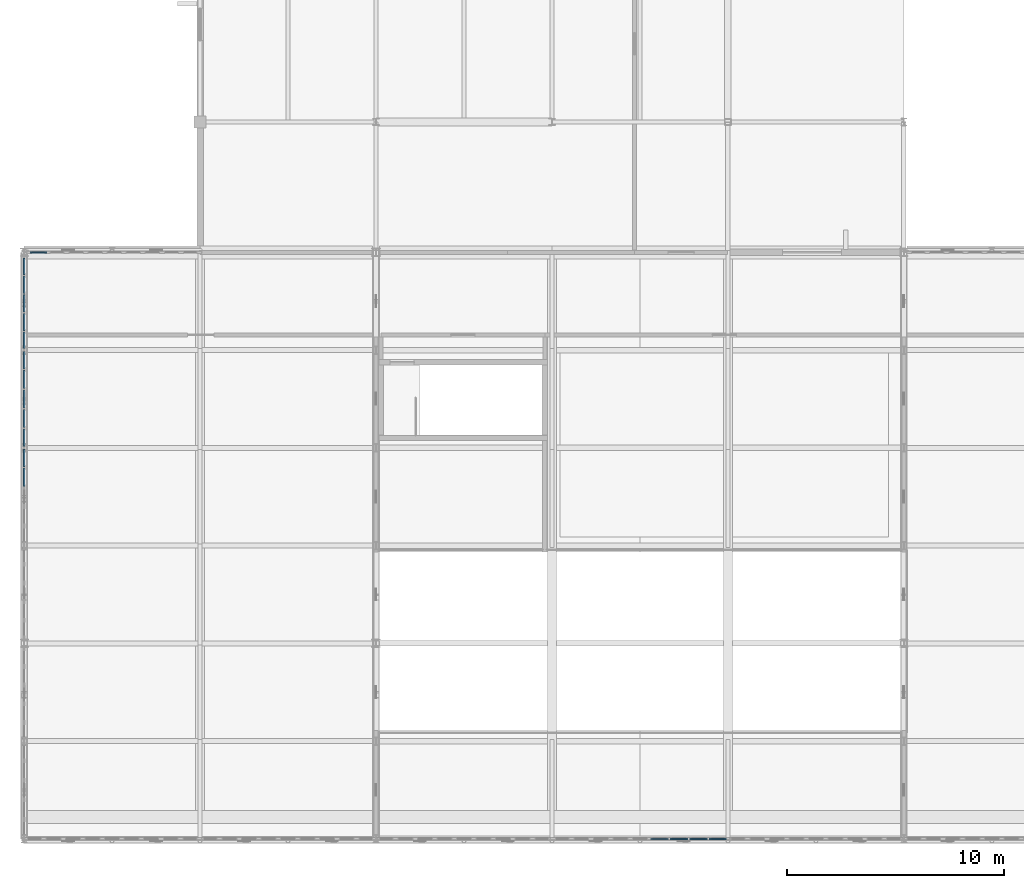
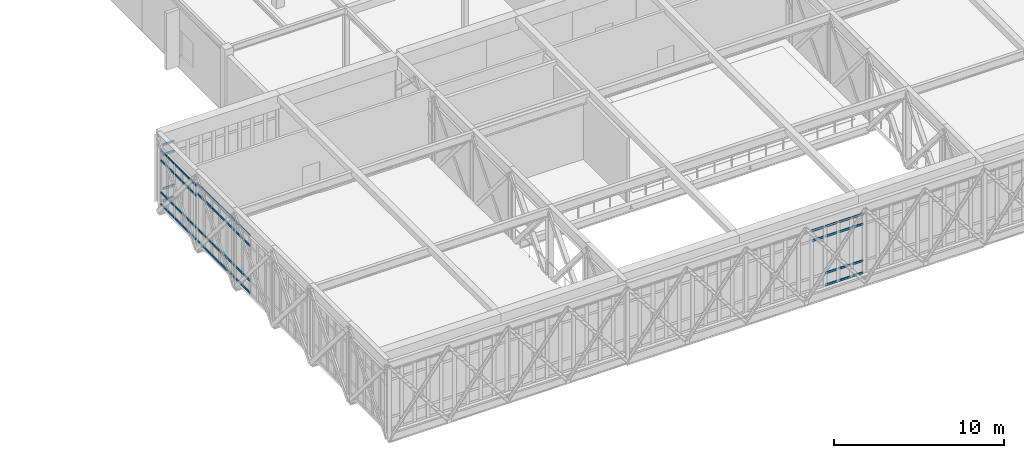
# One storey, part 30 of 70: 66 members, 5 elements without a shape of their own.
"""IFC4 building model written with IfcOpenShell, lengths in metres."""

from ifc_helpers import new_model, si_unit, direction, frame, origin, origin_2d, place, context, subcontext, project, spatial, rectangle, extrude, material, material_profile, profile_set, type_object, element, aggregate, save


model = new_model("IFC4")

# Units and contexts
model_context = context("Model", 3, precision=1e-05, world=origin(), true_north=direction((0.0, 1.0)))
body_context = subcontext(model_context, "Body", "Model", "MODEL_VIEW")
ifc_project = project(units=[si_unit("LENGTHUNIT", "METRE"), si_unit("AREAUNIT", "SQUARE_METRE"), si_unit("VOLUMEUNIT", "CUBIC_METRE"), si_unit("PLANEANGLEUNIT", "RADIAN"), si_unit("MASSUNIT", "GRAM", prefix="KILO")], contexts=[model_context])

# Site, building, storey
site_placement = place(None, origin())
site = spatial("IfcSite", under=ifc_project, at=site_placement, CompositionType="ELEMENT")
building_placement = place(site_placement, origin())
building = spatial("IfcBuilding", under=site, at=building_placement, Name="Tarnveldt Square Police Headquarters", CompositionType="ELEMENT")
storey_placement = place(building_placement, frame((0.0, 0.0, 19.800048828125)))
storey = spatial("IfcBuildingStorey", under=building, at=storey_placement, Name="L04", CompositionType="ELEMENT", Elevation=19.800048828125)

# Curtain wall, members
ifc_material_1 = material(Name="UL 752 Level III laminated ballistic vision glass", Category="glass")
curtain_wall_type_1 = type_object("IfcCurtainWallType", Name="CW-BL-810x429", PredefinedType="USERDEFINED", material=ifc_material_1)
curtain_wall_1_placement = place(storey_placement, origin())
curtain_wall_1 = element("IfcCurtainWall", 1, at=curtain_wall_1_placement, inside=storey, type_object=curtain_wall_type_1, Name="L04 Curtain Wall CW-L04-043", ObjectType="BALLISTIC CURTAIN WALL", PredefinedType="USERDEFINED")
ifc_material_2 = material(Name="Thermally broken anodised aluminium 6063-T6", Category="aluminium")
ifc_material_profile = material_profile(ifc_material_2, rectangle(XDim=0.074951171875, YDim=0.14990234375, at=origin_2d()), Name="CW-T75x150")
ifc_profile_set = profile_set([ifc_material_profile], Name="Thermally broken anodised aluminium 6063-T6")
member_type = type_object("IfcMemberType", Name="CWT-75x150", PredefinedType="USERDEFINED", material=ifc_profile_set)
member_1_placement = place(storey_placement, frame((36.9423828125, 7.0, 3.538330078125), z_axis=(1.0, 0.0, 0.0), x_axis=(0.0, 1.0, 0.0)))
member_1 = element("IfcMember", 2, at=member_1_placement, type_object=member_type, Name="CW-BL18 transom 6.3", ObjectType="TRANSOM", PredefinedType="USERDEFINED", context=body_context, shape_type="SweptSolid", body=[
    extrude(rectangle(XDim=0.074951171875, YDim=0.14990234375, at=origin_2d()), origin(), (0.0, 0.0, 1.0), 0.815185546875),
])
member_2_placement = place(storey_placement, frame((36.9423828125, 7.0, 4.2509765625), z_axis=(1.0, 0.0, 0.0), x_axis=(0.0, 1.0, 0.0)))
member_2 = element("IfcMember", 3, at=member_2_placement, type_object=member_type, Name="CW-BL18 transom 6.4", ObjectType="TRANSOM", PredefinedType="USERDEFINED", context=body_context, shape_type="SweptSolid", body=[
    extrude(rectangle(XDim=0.074951171875, YDim=0.14990234375, at=origin_2d()), origin(), (0.0, 0.0, 1.0), 0.815185546875),
])
member_3_placement = place(storey_placement, frame((37.842529296875, 7.0, 0.037353515625), z_axis=(1.0, 0.0, 0.0), x_axis=(0.0, 1.0, 0.0)))
member_3 = element("IfcMember", 4, at=member_3_placement, type_object=member_type, Name="CW-BL18 transom 7.1", ObjectType="TRANSOM", PredefinedType="USERDEFINED", context=body_context, shape_type="SweptSolid", body=[
    extrude(rectangle(XDim=0.074951171875, YDim=0.14990234375, at=origin_2d()), origin(), (0.0, 0.0, 1.0), 0.81494140625),
])
member_4_placement = place(storey_placement, frame((37.842529296875, 7.0, 0.89990234375), z_axis=(1.0, 0.0, 0.0), x_axis=(0.0, 1.0, 0.0)))
member_4 = element("IfcMember", 5, at=member_4_placement, type_object=member_type, Name="CW-BL18 transom 7.2", ObjectType="TRANSOM", PredefinedType="USERDEFINED", context=body_context, shape_type="SweptSolid", body=[
    extrude(rectangle(XDim=0.074951171875, YDim=0.14990234375, at=origin_2d()), origin(), (0.0, 0.0, 1.0), 0.81494140625),
])
member_5_placement = place(storey_placement, frame((37.842529296875, 7.0, 3.538330078125), z_axis=(1.0, 0.0, 0.0), x_axis=(0.0, 1.0, 0.0)))
member_5 = element("IfcMember", 6, at=member_5_placement, type_object=member_type, Name="CW-BL18 transom 7.3", ObjectType="TRANSOM", PredefinedType="USERDEFINED", context=body_context, shape_type="SweptSolid", body=[
    extrude(rectangle(XDim=0.074951171875, YDim=0.14990234375, at=origin_2d()), origin(), (0.0, 0.0, 1.0), 0.81494140625),
])
member_6_placement = place(storey_placement, frame((37.842529296875, 7.0, 4.2509765625), z_axis=(1.0, 0.0, 0.0), x_axis=(0.0, 1.0, 0.0)))
member_6 = element("IfcMember", 7, at=member_6_placement, type_object=member_type, Name="CW-BL18 transom 7.4", ObjectType="TRANSOM", PredefinedType="USERDEFINED", context=body_context, shape_type="SweptSolid", body=[
    extrude(rectangle(XDim=0.074951171875, YDim=0.14990234375, at=origin_2d()), origin(), (0.0, 0.0, 1.0), 0.81494140625),
])
member_7_placement = place(storey_placement, frame((38.742431640625, 7.0, 0.037353515625), z_axis=(1.0, 0.0, 0.0), x_axis=(0.0, 1.0, 0.0)))
member_7 = element("IfcMember", 8, at=member_7_placement, type_object=member_type, Name="CW-BL18 transom 8.1", ObjectType="TRANSOM", PredefinedType="USERDEFINED", context=body_context, shape_type="SweptSolid", body=[
    extrude(rectangle(XDim=0.074951171875, YDim=0.14990234375, at=origin_2d()), origin(), (0.0, 0.0, 1.0), 0.815185546875),
])
member_8_placement = place(storey_placement, frame((38.742431640625, 7.0, 0.89990234375), z_axis=(1.0, 0.0, 0.0), x_axis=(0.0, 1.0, 0.0)))
member_8 = element("IfcMember", 9, at=member_8_placement, type_object=member_type, Name="CW-BL18 transom 8.2", ObjectType="TRANSOM", PredefinedType="USERDEFINED", context=body_context, shape_type="SweptSolid", body=[
    extrude(rectangle(XDim=0.074951171875, YDim=0.14990234375, at=origin_2d()), origin(), (0.0, 0.0, 1.0), 0.815185546875),
])
member_9_placement = place(storey_placement, frame((38.742431640625, 7.0, 3.538330078125), z_axis=(1.0, 0.0, 0.0), x_axis=(0.0, 1.0, 0.0)))
member_9 = element("IfcMember", 10, at=member_9_placement, type_object=member_type, Name="CW-BL18 transom 8.3", ObjectType="TRANSOM", PredefinedType="USERDEFINED", context=body_context, shape_type="SweptSolid", body=[
    extrude(rectangle(XDim=0.074951171875, YDim=0.14990234375, at=origin_2d()), origin(), (0.0, 0.0, 1.0), 0.815185546875),
])
member_10_placement = place(storey_placement, frame((38.742431640625, 7.0, 4.2509765625), z_axis=(1.0, 0.0, 0.0), x_axis=(0.0, 1.0, 0.0)))
member_10 = element("IfcMember", 11, at=member_10_placement, type_object=member_type, Name="CW-BL18 transom 8.4", ObjectType="TRANSOM", PredefinedType="USERDEFINED", context=body_context, shape_type="SweptSolid", body=[
    extrude(rectangle(XDim=0.074951171875, YDim=0.14990234375, at=origin_2d()), origin(), (0.0, 0.0, 1.0), 0.815185546875),
])
member_11_placement = place(storey_placement, frame((39.642578125, 7.0, 0.037353515625), z_axis=(1.0, 0.0, 0.0), x_axis=(0.0, 1.0, 0.0)))
member_11 = element("IfcMember", 12, at=member_11_placement, type_object=member_type, Name="CW-BL18 transom 9.1", ObjectType="TRANSOM", PredefinedType="USERDEFINED", context=body_context, shape_type="SweptSolid", body=[
    extrude(rectangle(XDim=0.074951171875, YDim=0.14990234375, at=origin_2d()), origin(), (0.0, 0.0, 1.0), 0.7724609375),
])
member_12_placement = place(storey_placement, frame((39.642578125, 7.0, 0.89990234375), z_axis=(1.0, 0.0, 0.0), x_axis=(0.0, 1.0, 0.0)))
member_12 = element("IfcMember", 13, at=member_12_placement, type_object=member_type, Name="CW-BL18 transom 9.2", ObjectType="TRANSOM", PredefinedType="USERDEFINED", context=body_context, shape_type="SweptSolid", body=[
    extrude(rectangle(XDim=0.074951171875, YDim=0.14990234375, at=origin_2d()), origin(), (0.0, 0.0, 1.0), 0.7724609375),
])
member_13_placement = place(storey_placement, frame((39.642578125, 7.0, 3.538330078125), z_axis=(1.0, 0.0, 0.0), x_axis=(0.0, 1.0, 0.0)))
member_13 = element("IfcMember", 14, at=member_13_placement, type_object=member_type, Name="CW-BL18 transom 9.3", ObjectType="TRANSOM", PredefinedType="USERDEFINED", context=body_context, shape_type="SweptSolid", body=[
    extrude(rectangle(XDim=0.074951171875, YDim=0.14990234375, at=origin_2d()), origin(), (0.0, 0.0, 1.0), 0.7724609375),
])
member_14_placement = place(storey_placement, frame((39.642578125, 7.0, 4.2509765625), z_axis=(1.0, 0.0, 0.0), x_axis=(0.0, 1.0, 0.0)))
member_14 = element("IfcMember", 15, at=member_14_placement, type_object=member_type, Name="CW-BL18 transom 9.4", ObjectType="TRANSOM", PredefinedType="USERDEFINED", context=body_context, shape_type="SweptSolid", body=[
    extrude(rectangle(XDim=0.074951171875, YDim=0.14990234375, at=origin_2d()), origin(), (0.0, 0.0, 1.0), 0.7724609375),
])
aggregate(curtain_wall_1, [member_1, member_2, member_3, member_4, member_5, member_6, member_7, member_8, member_9, member_10, member_11, member_12, member_13, member_14])

curtain_wall_type_2 = type_object("IfcCurtainWallType", Name="CW-BL-790x409", PredefinedType="USERDEFINED", material=ifc_material_1)
curtain_wall_2_placement = place(storey_placement, origin())
curtain_wall_2 = element("IfcCurtainWall", 16, at=curtain_wall_2_placement, inside=storey, type_object=curtain_wall_type_2, Name="L04 Curtain Wall CW-L04-047", ObjectType="BALLISTIC CURTAIN WALL", PredefinedType="USERDEFINED")
member_15_placement = place(storey_placement, frame((8.386962890625, 34.0, 0.037353515625), z_axis=(1.0, 0.0, 0.0), x_axis=(0.0, 1.0, 0.0)))
member_15 = element("IfcMember", 17, at=member_15_placement, type_object=member_type, Name="CW-BL19 transom 1.1", ObjectType="TRANSOM", PredefinedType="USERDEFINED", context=body_context, shape_type="SweptSolid", body=[
    extrude(rectangle(XDim=0.074951171875, YDim=0.14990234375, at=origin_2d()), origin(), (0.0, 0.0, 1.0), 0.75),
])
member_16_placement = place(storey_placement, frame((8.386962890625, 34.0, 0.89990234375), z_axis=(1.0, 0.0, 0.0), x_axis=(0.0, 1.0, 0.0)))
member_16 = element("IfcMember", 18, at=member_16_placement, type_object=member_type, Name="CW-BL19 transom 1.2", ObjectType="TRANSOM", PredefinedType="USERDEFINED", context=body_context, shape_type="SweptSolid", body=[
    extrude(rectangle(XDim=0.074951171875, YDim=0.14990234375, at=origin_2d()), origin(), (0.0, 0.0, 1.0), 0.75),
])
member_17_placement = place(storey_placement, frame((8.386962890625, 34.0, 3.342041015625), z_axis=(1.0, 0.0, 0.0), x_axis=(0.0, 1.0, 0.0)))
member_17 = element("IfcMember", 19, at=member_17_placement, type_object=member_type, Name="CW-BL19 transom 1.3", ObjectType="TRANSOM", PredefinedType="USERDEFINED", context=body_context, shape_type="SweptSolid", body=[
    extrude(rectangle(XDim=0.074951171875, YDim=0.14990234375, at=origin_2d()), origin(), (0.0, 0.0, 1.0), 0.75),
])
member_18_placement = place(storey_placement, frame((8.386962890625, 34.0, 4.054443359375), z_axis=(1.0, 0.0, 0.0), x_axis=(0.0, 1.0, 0.0)))
member_18 = element("IfcMember", 20, at=member_18_placement, type_object=member_type, Name="CW-BL19 transom 1.4", ObjectType="TRANSOM", PredefinedType="USERDEFINED", context=body_context, shape_type="SweptSolid", body=[
    extrude(rectangle(XDim=0.074951171875, YDim=0.14990234375, at=origin_2d()), origin(), (0.0, 0.0, 1.0), 0.75),
])
aggregate(curtain_wall_2, [member_15, member_16, member_17, member_18])

ifc_material_3 = material(Name="Triple-glazed low-e laminated vision glass", Category="glass")
curtain_wall_type_3 = type_object("IfcCurtainWallType", Name="CW-LT-450x417", PredefinedType="USERDEFINED", material=ifc_material_3)
curtain_wall_3_placement = place(storey_placement, origin())
curtain_wall_3 = element("IfcCurtainWall", 21, at=curtain_wall_3_placement, inside=storey, type_object=curtain_wall_type_3, Name="L04 Curtain Wall CW-L04-053", ObjectType="GLAZED CURTAIN WALL", PredefinedType="USERDEFINED")
member_19_placement = place(storey_placement, frame((8.10009765625, 23.237548828125, 0.037353515625), z_axis=(0.0, 1.0, 0.0), x_axis=(-1.0, 0.0, 0.0)))
member_19 = element("IfcMember", 22, at=member_19_placement, type_object=member_type, Name="CW-LT22 transom 4.1", ObjectType="TRANSOM", PredefinedType="USERDEFINED", context=body_context, shape_type="SweptSolid", body=[
    extrude(rectangle(XDim=0.074951171875, YDim=0.14990234375, at=origin_2d()), origin(), (0.0, 0.0, 1.0), 0.824951171875),
])
member_20_placement = place(storey_placement, frame((8.10009765625, 23.237548828125, 0.89990234375), z_axis=(0.0, 1.0, 0.0), x_axis=(-1.0, 0.0, 0.0)))
member_20 = element("IfcMember", 23, at=member_20_placement, type_object=member_type, Name="CW-LT22 transom 4.2", ObjectType="TRANSOM", PredefinedType="USERDEFINED", context=body_context, shape_type="SweptSolid", body=[
    extrude(rectangle(XDim=0.074951171875, YDim=0.14990234375, at=origin_2d()), origin(), (0.0, 0.0, 1.0), 0.824951171875),
])
member_21_placement = place(storey_placement, frame((8.10009765625, 23.237548828125, 3.4228515625), z_axis=(0.0, 1.0, 0.0), x_axis=(-1.0, 0.0, 0.0)))
member_21 = element("IfcMember", 24, at=member_21_placement, type_object=member_type, Name="CW-LT22 transom 4.3", ObjectType="TRANSOM", PredefinedType="USERDEFINED", context=body_context, shape_type="SweptSolid", body=[
    extrude(rectangle(XDim=0.074951171875, YDim=0.14990234375, at=origin_2d()), origin(), (0.0, 0.0, 1.0), 0.824951171875),
])
member_22_placement = place(storey_placement, frame((8.10009765625, 23.237548828125, 4.135498046875), z_axis=(0.0, 1.0, 0.0), x_axis=(-1.0, 0.0, 0.0)))
member_22 = element("IfcMember", 25, at=member_22_placement, type_object=member_type, Name="CW-LT22 transom 4.4", ObjectType="TRANSOM", PredefinedType="USERDEFINED", context=body_context, shape_type="SweptSolid", body=[
    extrude(rectangle(XDim=0.074951171875, YDim=0.14990234375, at=origin_2d()), origin(), (0.0, 0.0, 1.0), 0.824951171875),
])
member_23_placement = place(storey_placement, frame((8.10009765625, 24.137451171875, 0.037353515625), z_axis=(0.0, 1.0, 0.0), x_axis=(-1.0, 0.0, 0.0)))
member_23 = element("IfcMember", 26, at=member_23_placement, type_object=member_type, Name="CW-LT22 transom 5.1", ObjectType="TRANSOM", PredefinedType="USERDEFINED", context=body_context, shape_type="SweptSolid", body=[
    extrude(rectangle(XDim=0.074951171875, YDim=0.14990234375, at=origin_2d()), origin(), (0.0, 0.0, 1.0), 0.78759765625),
])
member_24_placement = place(storey_placement, frame((8.10009765625, 24.137451171875, 0.89990234375), z_axis=(0.0, 1.0, 0.0), x_axis=(-1.0, 0.0, 0.0)))
member_24 = element("IfcMember", 27, at=member_24_placement, type_object=member_type, Name="CW-LT22 transom 5.2", ObjectType="TRANSOM", PredefinedType="USERDEFINED", context=body_context, shape_type="SweptSolid", body=[
    extrude(rectangle(XDim=0.074951171875, YDim=0.14990234375, at=origin_2d()), origin(), (0.0, 0.0, 1.0), 0.78759765625),
])
member_25_placement = place(storey_placement, frame((8.10009765625, 24.137451171875, 3.4228515625), z_axis=(0.0, 1.0, 0.0), x_axis=(-1.0, 0.0, 0.0)))
member_25 = element("IfcMember", 28, at=member_25_placement, type_object=member_type, Name="CW-LT22 transom 5.3", ObjectType="TRANSOM", PredefinedType="USERDEFINED", context=body_context, shape_type="SweptSolid", body=[
    extrude(rectangle(XDim=0.074951171875, YDim=0.14990234375, at=origin_2d()), origin(), (0.0, 0.0, 1.0), 0.78759765625),
])
member_26_placement = place(storey_placement, frame((8.10009765625, 24.137451171875, 4.135498046875), z_axis=(0.0, 1.0, 0.0), x_axis=(-1.0, 0.0, 0.0)))
member_26 = element("IfcMember", 29, at=member_26_placement, type_object=member_type, Name="CW-LT22 transom 5.4", ObjectType="TRANSOM", PredefinedType="USERDEFINED", context=body_context, shape_type="SweptSolid", body=[
    extrude(rectangle(XDim=0.074951171875, YDim=0.14990234375, at=origin_2d()), origin(), (0.0, 0.0, 1.0), 0.78759765625),
])
aggregate(curtain_wall_3, [member_19, member_20, member_21, member_22, member_23, member_24, member_25, member_26])

curtain_wall_4_placement = place(storey_placement, origin())
curtain_wall_4 = element("IfcCurtainWall", 30, at=curtain_wall_4_placement, inside=storey, type_object=curtain_wall_type_3, Name="L04 Curtain Wall CW-L04-054", ObjectType="GLAZED CURTAIN WALL", PredefinedType="USERDEFINED")
member_27_placement = place(storey_placement, frame((8.10009765625, 25.074951171875, 0.037353515625), z_axis=(0.0, 1.0, 0.0), x_axis=(-1.0, 0.0, 0.0)))
member_27 = element("IfcMember", 31, at=member_27_placement, type_object=member_type, Name="CW-LT22 transom 1.1", ObjectType="TRANSOM", PredefinedType="USERDEFINED", context=body_context, shape_type="SweptSolid", body=[
    extrude(rectangle(XDim=0.074951171875, YDim=0.14990234375, at=origin_2d()), origin(), (0.0, 0.0, 1.0), 0.78759765625),
])
member_28_placement = place(storey_placement, frame((8.10009765625, 25.074951171875, 0.89990234375), z_axis=(0.0, 1.0, 0.0), x_axis=(-1.0, 0.0, 0.0)))
member_28 = element("IfcMember", 32, at=member_28_placement, type_object=member_type, Name="CW-LT22 transom 1.2", ObjectType="TRANSOM", PredefinedType="USERDEFINED", context=body_context, shape_type="SweptSolid", body=[
    extrude(rectangle(XDim=0.074951171875, YDim=0.14990234375, at=origin_2d()), origin(), (0.0, 0.0, 1.0), 0.78759765625),
])
member_29_placement = place(storey_placement, frame((8.10009765625, 25.074951171875, 3.4228515625), z_axis=(0.0, 1.0, 0.0), x_axis=(-1.0, 0.0, 0.0)))
member_29 = element("IfcMember", 33, at=member_29_placement, type_object=member_type, Name="CW-LT22 transom 1.3", ObjectType="TRANSOM", PredefinedType="USERDEFINED", context=body_context, shape_type="SweptSolid", body=[
    extrude(rectangle(XDim=0.074951171875, YDim=0.14990234375, at=origin_2d()), origin(), (0.0, 0.0, 1.0), 0.78759765625),
])
member_30_placement = place(storey_placement, frame((8.10009765625, 25.074951171875, 4.135498046875), z_axis=(0.0, 1.0, 0.0), x_axis=(-1.0, 0.0, 0.0)))
member_30 = element("IfcMember", 34, at=member_30_placement, type_object=member_type, Name="CW-LT22 transom 1.4", ObjectType="TRANSOM", PredefinedType="USERDEFINED", context=body_context, shape_type="SweptSolid", body=[
    extrude(rectangle(XDim=0.074951171875, YDim=0.14990234375, at=origin_2d()), origin(), (0.0, 0.0, 1.0), 0.78759765625),
])
member_31_placement = place(storey_placement, frame((8.10009765625, 25.9375, 0.037353515625), z_axis=(0.0, 1.0, 0.0), x_axis=(-1.0, 0.0, 0.0)))
member_31 = element("IfcMember", 35, at=member_31_placement, type_object=member_type, Name="CW-LT22 transom 2.1", ObjectType="TRANSOM", PredefinedType="USERDEFINED", context=body_context, shape_type="SweptSolid", body=[
    extrude(rectangle(XDim=0.074951171875, YDim=0.14990234375, at=origin_2d()), origin(), (0.0, 0.0, 1.0), 0.824951171875),
])
member_32_placement = place(storey_placement, frame((8.10009765625, 25.9375, 0.89990234375), z_axis=(0.0, 1.0, 0.0), x_axis=(-1.0, 0.0, 0.0)))
member_32 = element("IfcMember", 36, at=member_32_placement, type_object=member_type, Name="CW-LT22 transom 2.2", ObjectType="TRANSOM", PredefinedType="USERDEFINED", context=body_context, shape_type="SweptSolid", body=[
    extrude(rectangle(XDim=0.074951171875, YDim=0.14990234375, at=origin_2d()), origin(), (0.0, 0.0, 1.0), 0.824951171875),
])
member_33_placement = place(storey_placement, frame((8.10009765625, 25.9375, 3.4228515625), z_axis=(0.0, 1.0, 0.0), x_axis=(-1.0, 0.0, 0.0)))
member_33 = element("IfcMember", 37, at=member_33_placement, type_object=member_type, Name="CW-LT22 transom 2.3", ObjectType="TRANSOM", PredefinedType="USERDEFINED", context=body_context, shape_type="SweptSolid", body=[
    extrude(rectangle(XDim=0.074951171875, YDim=0.14990234375, at=origin_2d()), origin(), (0.0, 0.0, 1.0), 0.824951171875),
])
member_34_placement = place(storey_placement, frame((8.10009765625, 25.9375, 4.135498046875), z_axis=(0.0, 1.0, 0.0), x_axis=(-1.0, 0.0, 0.0)))
member_34 = element("IfcMember", 38, at=member_34_placement, type_object=member_type, Name="CW-LT22 transom 2.4", ObjectType="TRANSOM", PredefinedType="USERDEFINED", context=body_context, shape_type="SweptSolid", body=[
    extrude(rectangle(XDim=0.074951171875, YDim=0.14990234375, at=origin_2d()), origin(), (0.0, 0.0, 1.0), 0.824951171875),
])
member_35_placement = place(storey_placement, frame((8.10009765625, 26.83740234375, 0.037353515625), z_axis=(0.0, 1.0, 0.0), x_axis=(-1.0, 0.0, 0.0)))
member_35 = element("IfcMember", 39, at=member_35_placement, type_object=member_type, Name="CW-LT22 transom 3.1", ObjectType="TRANSOM", PredefinedType="USERDEFINED", context=body_context, shape_type="SweptSolid", body=[
    extrude(rectangle(XDim=0.074951171875, YDim=0.14990234375, at=origin_2d()), origin(), (0.0, 0.0, 1.0), 0.8251953125),
])
member_36_placement = place(storey_placement, frame((8.10009765625, 26.83740234375, 0.89990234375), z_axis=(0.0, 1.0, 0.0), x_axis=(-1.0, 0.0, 0.0)))
member_36 = element("IfcMember", 40, at=member_36_placement, type_object=member_type, Name="CW-LT22 transom 3.2", ObjectType="TRANSOM", PredefinedType="USERDEFINED", context=body_context, shape_type="SweptSolid", body=[
    extrude(rectangle(XDim=0.074951171875, YDim=0.14990234375, at=origin_2d()), origin(), (0.0, 0.0, 1.0), 0.8251953125),
])
member_37_placement = place(storey_placement, frame((8.10009765625, 26.83740234375, 3.4228515625), z_axis=(0.0, 1.0, 0.0), x_axis=(-1.0, 0.0, 0.0)))
member_37 = element("IfcMember", 41, at=member_37_placement, type_object=member_type, Name="CW-LT22 transom 3.3", ObjectType="TRANSOM", PredefinedType="USERDEFINED", context=body_context, shape_type="SweptSolid", body=[
    extrude(rectangle(XDim=0.074951171875, YDim=0.14990234375, at=origin_2d()), origin(), (0.0, 0.0, 1.0), 0.8251953125),
])
member_38_placement = place(storey_placement, frame((8.10009765625, 26.83740234375, 4.135498046875), z_axis=(0.0, 1.0, 0.0), x_axis=(-1.0, 0.0, 0.0)))
member_38 = element("IfcMember", 42, at=member_38_placement, type_object=member_type, Name="CW-LT22 transom 3.4", ObjectType="TRANSOM", PredefinedType="USERDEFINED", context=body_context, shape_type="SweptSolid", body=[
    extrude(rectangle(XDim=0.074951171875, YDim=0.14990234375, at=origin_2d()), origin(), (0.0, 0.0, 1.0), 0.8251953125),
])
member_39_placement = place(storey_placement, frame((8.10009765625, 27.737548828125, 0.037353515625), z_axis=(0.0, 1.0, 0.0), x_axis=(-1.0, 0.0, 0.0)))
member_39 = element("IfcMember", 43, at=member_39_placement, type_object=member_type, Name="CW-LT22 transom 4.1", ObjectType="TRANSOM", PredefinedType="USERDEFINED", context=body_context, shape_type="SweptSolid", body=[
    extrude(rectangle(XDim=0.074951171875, YDim=0.14990234375, at=origin_2d()), origin(), (0.0, 0.0, 1.0), 0.824951171875),
])
member_40_placement = place(storey_placement, frame((8.10009765625, 27.737548828125, 0.89990234375), z_axis=(0.0, 1.0, 0.0), x_axis=(-1.0, 0.0, 0.0)))
member_40 = element("IfcMember", 44, at=member_40_placement, type_object=member_type, Name="CW-LT22 transom 4.2", ObjectType="TRANSOM", PredefinedType="USERDEFINED", context=body_context, shape_type="SweptSolid", body=[
    extrude(rectangle(XDim=0.074951171875, YDim=0.14990234375, at=origin_2d()), origin(), (0.0, 0.0, 1.0), 0.824951171875),
])
member_41_placement = place(storey_placement, frame((8.10009765625, 27.737548828125, 3.4228515625), z_axis=(0.0, 1.0, 0.0), x_axis=(-1.0, 0.0, 0.0)))
member_41 = element("IfcMember", 45, at=member_41_placement, type_object=member_type, Name="CW-LT22 transom 4.3", ObjectType="TRANSOM", PredefinedType="USERDEFINED", context=body_context, shape_type="SweptSolid", body=[
    extrude(rectangle(XDim=0.074951171875, YDim=0.14990234375, at=origin_2d()), origin(), (0.0, 0.0, 1.0), 0.824951171875),
])
member_42_placement = place(storey_placement, frame((8.10009765625, 27.737548828125, 4.135498046875), z_axis=(0.0, 1.0, 0.0), x_axis=(-1.0, 0.0, 0.0)))
member_42 = element("IfcMember", 46, at=member_42_placement, type_object=member_type, Name="CW-LT22 transom 4.4", ObjectType="TRANSOM", PredefinedType="USERDEFINED", context=body_context, shape_type="SweptSolid", body=[
    extrude(rectangle(XDim=0.074951171875, YDim=0.14990234375, at=origin_2d()), origin(), (0.0, 0.0, 1.0), 0.824951171875),
])
member_43_placement = place(storey_placement, frame((8.10009765625, 28.637451171875, 0.037353515625), z_axis=(0.0, 1.0, 0.0), x_axis=(-1.0, 0.0, 0.0)))
member_43 = element("IfcMember", 47, at=member_43_placement, type_object=member_type, Name="CW-LT22 transom 5.1", ObjectType="TRANSOM", PredefinedType="USERDEFINED", context=body_context, shape_type="SweptSolid", body=[
    extrude(rectangle(XDim=0.074951171875, YDim=0.14990234375, at=origin_2d()), origin(), (0.0, 0.0, 1.0), 0.78759765625),
])
member_44_placement = place(storey_placement, frame((8.10009765625, 28.637451171875, 0.89990234375), z_axis=(0.0, 1.0, 0.0), x_axis=(-1.0, 0.0, 0.0)))
member_44 = element("IfcMember", 48, at=member_44_placement, type_object=member_type, Name="CW-LT22 transom 5.2", ObjectType="TRANSOM", PredefinedType="USERDEFINED", context=body_context, shape_type="SweptSolid", body=[
    extrude(rectangle(XDim=0.074951171875, YDim=0.14990234375, at=origin_2d()), origin(), (0.0, 0.0, 1.0), 0.78759765625),
])
member_45_placement = place(storey_placement, frame((8.10009765625, 28.637451171875, 3.4228515625), z_axis=(0.0, 1.0, 0.0), x_axis=(-1.0, 0.0, 0.0)))
member_45 = element("IfcMember", 49, at=member_45_placement, type_object=member_type, Name="CW-LT22 transom 5.3", ObjectType="TRANSOM", PredefinedType="USERDEFINED", context=body_context, shape_type="SweptSolid", body=[
    extrude(rectangle(XDim=0.074951171875, YDim=0.14990234375, at=origin_2d()), origin(), (0.0, 0.0, 1.0), 0.78759765625),
])
member_46_placement = place(storey_placement, frame((8.10009765625, 28.637451171875, 4.135498046875), z_axis=(0.0, 1.0, 0.0), x_axis=(-1.0, 0.0, 0.0)))
member_46 = element("IfcMember", 50, at=member_46_placement, type_object=member_type, Name="CW-LT22 transom 5.4", ObjectType="TRANSOM", PredefinedType="USERDEFINED", context=body_context, shape_type="SweptSolid", body=[
    extrude(rectangle(XDim=0.074951171875, YDim=0.14990234375, at=origin_2d()), origin(), (0.0, 0.0, 1.0), 0.78759765625),
])
aggregate(curtain_wall_4, [member_27, member_28, member_29, member_30, member_31, member_32, member_33, member_34, member_35, member_36, member_37, member_38, member_39, member_40, member_41, member_42, member_43, member_44, member_45, member_46])

curtain_wall_type_4 = type_object("IfcCurtainWallType", Name="CW-LT-430x395", PredefinedType="USERDEFINED", material=ifc_material_3)
curtain_wall_5_placement = place(storey_placement, origin())
curtain_wall_5 = element("IfcCurtainWall", 51, at=curtain_wall_5_placement, inside=storey, type_object=curtain_wall_type_4, Name="L04 Curtain Wall CW-L04-055", ObjectType="GLAZED CURTAIN WALL", PredefinedType="USERDEFINED")
member_47_placement = place(storey_placement, frame((8.10009765625, 29.574951171875, 0.037353515625), z_axis=(0.0, 1.0, 0.0), x_axis=(-1.0, 0.0, 0.0)))
member_47 = element("IfcMember", 52, at=member_47_placement, type_object=member_type, Name="CW-LT23 transom 1.1", ObjectType="TRANSOM", PredefinedType="USERDEFINED", context=body_context, shape_type="SweptSolid", body=[
    extrude(rectangle(XDim=0.074951171875, YDim=0.14990234375, at=origin_2d()), origin(), (0.0, 0.0, 1.0), 0.7470703125),
])
member_48_placement = place(storey_placement, frame((8.10009765625, 29.574951171875, 0.89990234375), z_axis=(0.0, 1.0, 0.0), x_axis=(-1.0, 0.0, 0.0)))
member_48 = element("IfcMember", 53, at=member_48_placement, type_object=member_type, Name="CW-LT23 transom 1.2", ObjectType="TRANSOM", PredefinedType="USERDEFINED", context=body_context, shape_type="SweptSolid", body=[
    extrude(rectangle(XDim=0.074951171875, YDim=0.14990234375, at=origin_2d()), origin(), (0.0, 0.0, 1.0), 0.7470703125),
])
member_49_placement = place(storey_placement, frame((8.10009765625, 29.574951171875, 3.201904296875), z_axis=(0.0, 1.0, 0.0), x_axis=(-1.0, 0.0, 0.0)))
member_49 = element("IfcMember", 54, at=member_49_placement, type_object=member_type, Name="CW-LT23 transom 1.3", ObjectType="TRANSOM", PredefinedType="USERDEFINED", context=body_context, shape_type="SweptSolid", body=[
    extrude(rectangle(XDim=0.074951171875, YDim=0.14990234375, at=origin_2d()), origin(), (0.0, 0.0, 1.0), 0.7470703125),
])
member_50_placement = place(storey_placement, frame((8.10009765625, 29.574951171875, 3.914306640625), z_axis=(0.0, 1.0, 0.0), x_axis=(-1.0, 0.0, 0.0)))
member_50 = element("IfcMember", 55, at=member_50_placement, type_object=member_type, Name="CW-LT23 transom 1.4", ObjectType="TRANSOM", PredefinedType="USERDEFINED", context=body_context, shape_type="SweptSolid", body=[
    extrude(rectangle(XDim=0.074951171875, YDim=0.14990234375, at=origin_2d()), origin(), (0.0, 0.0, 1.0), 0.7470703125),
])
member_51_placement = place(storey_placement, frame((8.10009765625, 30.397216796875, 0.037353515625), z_axis=(0.0, 1.0, 0.0), x_axis=(-1.0, 0.0, 0.0)))
member_51 = element("IfcMember", 56, at=member_51_placement, type_object=member_type, Name="CW-LT23 transom 2.1", ObjectType="TRANSOM", PredefinedType="USERDEFINED", context=body_context, shape_type="SweptSolid", body=[
    extrude(rectangle(XDim=0.074951171875, YDim=0.14990234375, at=origin_2d()), origin(), (0.0, 0.0, 1.0), 0.784423828125),
])
member_52_placement = place(storey_placement, frame((8.10009765625, 30.397216796875, 0.89990234375), z_axis=(0.0, 1.0, 0.0), x_axis=(-1.0, 0.0, 0.0)))
member_52 = element("IfcMember", 57, at=member_52_placement, type_object=member_type, Name="CW-LT23 transom 2.2", ObjectType="TRANSOM", PredefinedType="USERDEFINED", context=body_context, shape_type="SweptSolid", body=[
    extrude(rectangle(XDim=0.074951171875, YDim=0.14990234375, at=origin_2d()), origin(), (0.0, 0.0, 1.0), 0.784423828125),
])
member_53_placement = place(storey_placement, frame((8.10009765625, 30.397216796875, 3.201904296875), z_axis=(0.0, 1.0, 0.0), x_axis=(-1.0, 0.0, 0.0)))
member_53 = element("IfcMember", 58, at=member_53_placement, type_object=member_type, Name="CW-LT23 transom 2.3", ObjectType="TRANSOM", PredefinedType="USERDEFINED", context=body_context, shape_type="SweptSolid", body=[
    extrude(rectangle(XDim=0.074951171875, YDim=0.14990234375, at=origin_2d()), origin(), (0.0, 0.0, 1.0), 0.784423828125),
])
member_54_placement = place(storey_placement, frame((8.10009765625, 30.397216796875, 3.914306640625), z_axis=(0.0, 1.0, 0.0), x_axis=(-1.0, 0.0, 0.0)))
member_54 = element("IfcMember", 59, at=member_54_placement, type_object=member_type, Name="CW-LT23 transom 2.4", ObjectType="TRANSOM", PredefinedType="USERDEFINED", context=body_context, shape_type="SweptSolid", body=[
    extrude(rectangle(XDim=0.074951171875, YDim=0.14990234375, at=origin_2d()), origin(), (0.0, 0.0, 1.0), 0.784423828125),
])
member_55_placement = place(storey_placement, frame((8.10009765625, 31.256591796875, 0.037353515625), z_axis=(0.0, 1.0, 0.0), x_axis=(-1.0, 0.0, 0.0)))
member_55 = element("IfcMember", 60, at=member_55_placement, type_object=member_type, Name="CW-LT23 transom 3.1", ObjectType="TRANSOM", PredefinedType="USERDEFINED", context=body_context, shape_type="SweptSolid", body=[
    extrude(rectangle(XDim=0.074951171875, YDim=0.14990234375, at=origin_2d()), origin(), (0.0, 0.0, 1.0), 0.78466796875),
])
member_56_placement = place(storey_placement, frame((8.10009765625, 31.256591796875, 0.89990234375), z_axis=(0.0, 1.0, 0.0), x_axis=(-1.0, 0.0, 0.0)))
member_56 = element("IfcMember", 61, at=member_56_placement, type_object=member_type, Name="CW-LT23 transom 3.2", ObjectType="TRANSOM", PredefinedType="USERDEFINED", context=body_context, shape_type="SweptSolid", body=[
    extrude(rectangle(XDim=0.074951171875, YDim=0.14990234375, at=origin_2d()), origin(), (0.0, 0.0, 1.0), 0.78466796875),
])
member_57_placement = place(storey_placement, frame((8.10009765625, 31.256591796875, 3.201904296875), z_axis=(0.0, 1.0, 0.0), x_axis=(-1.0, 0.0, 0.0)))
member_57 = element("IfcMember", 62, at=member_57_placement, type_object=member_type, Name="CW-LT23 transom 3.3", ObjectType="TRANSOM", PredefinedType="USERDEFINED", context=body_context, shape_type="SweptSolid", body=[
    extrude(rectangle(XDim=0.074951171875, YDim=0.14990234375, at=origin_2d()), origin(), (0.0, 0.0, 1.0), 0.78466796875),
])
member_58_placement = place(storey_placement, frame((8.10009765625, 31.256591796875, 3.914306640625), z_axis=(0.0, 1.0, 0.0), x_axis=(-1.0, 0.0, 0.0)))
member_58 = element("IfcMember", 63, at=member_58_placement, type_object=member_type, Name="CW-LT23 transom 3.4", ObjectType="TRANSOM", PredefinedType="USERDEFINED", context=body_context, shape_type="SweptSolid", body=[
    extrude(rectangle(XDim=0.074951171875, YDim=0.14990234375, at=origin_2d()), origin(), (0.0, 0.0, 1.0), 0.78466796875),
])
member_59_placement = place(storey_placement, frame((8.10009765625, 32.1162109375, 0.037353515625), z_axis=(0.0, 1.0, 0.0), x_axis=(-1.0, 0.0, 0.0)))
member_59 = element("IfcMember", 64, at=member_59_placement, type_object=member_type, Name="CW-LT23 transom 4.1", ObjectType="TRANSOM", PredefinedType="USERDEFINED", context=body_context, shape_type="SweptSolid", body=[
    extrude(rectangle(XDim=0.074951171875, YDim=0.14990234375, at=origin_2d()), origin(), (0.0, 0.0, 1.0), 0.78466796875),
])
member_60_placement = place(storey_placement, frame((8.10009765625, 32.1162109375, 0.89990234375), z_axis=(0.0, 1.0, 0.0), x_axis=(-1.0, 0.0, 0.0)))
member_60 = element("IfcMember", 65, at=member_60_placement, type_object=member_type, Name="CW-LT23 transom 4.2", ObjectType="TRANSOM", PredefinedType="USERDEFINED", context=body_context, shape_type="SweptSolid", body=[
    extrude(rectangle(XDim=0.074951171875, YDim=0.14990234375, at=origin_2d()), origin(), (0.0, 0.0, 1.0), 0.78466796875),
])
member_61_placement = place(storey_placement, frame((8.10009765625, 32.1162109375, 3.201904296875), z_axis=(0.0, 1.0, 0.0), x_axis=(-1.0, 0.0, 0.0)))
member_61 = element("IfcMember", 66, at=member_61_placement, type_object=member_type, Name="CW-LT23 transom 4.3", ObjectType="TRANSOM", PredefinedType="USERDEFINED", context=body_context, shape_type="SweptSolid", body=[
    extrude(rectangle(XDim=0.074951171875, YDim=0.14990234375, at=origin_2d()), origin(), (0.0, 0.0, 1.0), 0.78466796875),
])
member_62_placement = place(storey_placement, frame((8.10009765625, 32.1162109375, 3.914306640625), z_axis=(0.0, 1.0, 0.0), x_axis=(-1.0, 0.0, 0.0)))
member_62 = element("IfcMember", 67, at=member_62_placement, type_object=member_type, Name="CW-LT23 transom 4.4", ObjectType="TRANSOM", PredefinedType="USERDEFINED", context=body_context, shape_type="SweptSolid", body=[
    extrude(rectangle(XDim=0.074951171875, YDim=0.14990234375, at=origin_2d()), origin(), (0.0, 0.0, 1.0), 0.78466796875),
])
member_63_placement = place(storey_placement, frame((8.10009765625, 32.975830078125, 0.037353515625), z_axis=(0.0, 1.0, 0.0), x_axis=(-1.0, 0.0, 0.0)))
member_63 = element("IfcMember", 68, at=member_63_placement, type_object=member_type, Name="CW-LT23 transom 5.1", ObjectType="TRANSOM", PredefinedType="USERDEFINED", context=body_context, shape_type="SweptSolid", body=[
    extrude(rectangle(XDim=0.074951171875, YDim=0.14990234375, at=origin_2d()), origin(), (0.0, 0.0, 1.0), 0.7470703125),
])
member_64_placement = place(storey_placement, frame((8.10009765625, 32.975830078125, 0.89990234375), z_axis=(0.0, 1.0, 0.0), x_axis=(-1.0, 0.0, 0.0)))
member_64 = element("IfcMember", 69, at=member_64_placement, type_object=member_type, Name="CW-LT23 transom 5.2", ObjectType="TRANSOM", PredefinedType="USERDEFINED", context=body_context, shape_type="SweptSolid", body=[
    extrude(rectangle(XDim=0.074951171875, YDim=0.14990234375, at=origin_2d()), origin(), (0.0, 0.0, 1.0), 0.7470703125),
])
member_65_placement = place(storey_placement, frame((8.10009765625, 32.975830078125, 3.201904296875), z_axis=(0.0, 1.0, 0.0), x_axis=(-1.0, 0.0, 0.0)))
member_65 = element("IfcMember", 70, at=member_65_placement, type_object=member_type, Name="CW-LT23 transom 5.3", ObjectType="TRANSOM", PredefinedType="USERDEFINED", context=body_context, shape_type="SweptSolid", body=[
    extrude(rectangle(XDim=0.074951171875, YDim=0.14990234375, at=origin_2d()), origin(), (0.0, 0.0, 1.0), 0.7470703125),
])
member_66_placement = place(storey_placement, frame((8.10009765625, 32.975830078125, 3.914306640625), z_axis=(0.0, 1.0, 0.0), x_axis=(-1.0, 0.0, 0.0)))
member_66 = element("IfcMember", 71, at=member_66_placement, type_object=member_type, Name="CW-LT23 transom 5.4", ObjectType="TRANSOM", PredefinedType="USERDEFINED", context=body_context, shape_type="SweptSolid", body=[
    extrude(rectangle(XDim=0.074951171875, YDim=0.14990234375, at=origin_2d()), origin(), (0.0, 0.0, 1.0), 0.7470703125),
])
aggregate(curtain_wall_5, [member_47, member_48, member_49, member_50, member_51, member_52, member_53, member_54, member_55, member_56, member_57, member_58, member_59, member_60, member_61, member_62, member_63, member_64, member_65, member_66])

save(model, "model.ifc")
